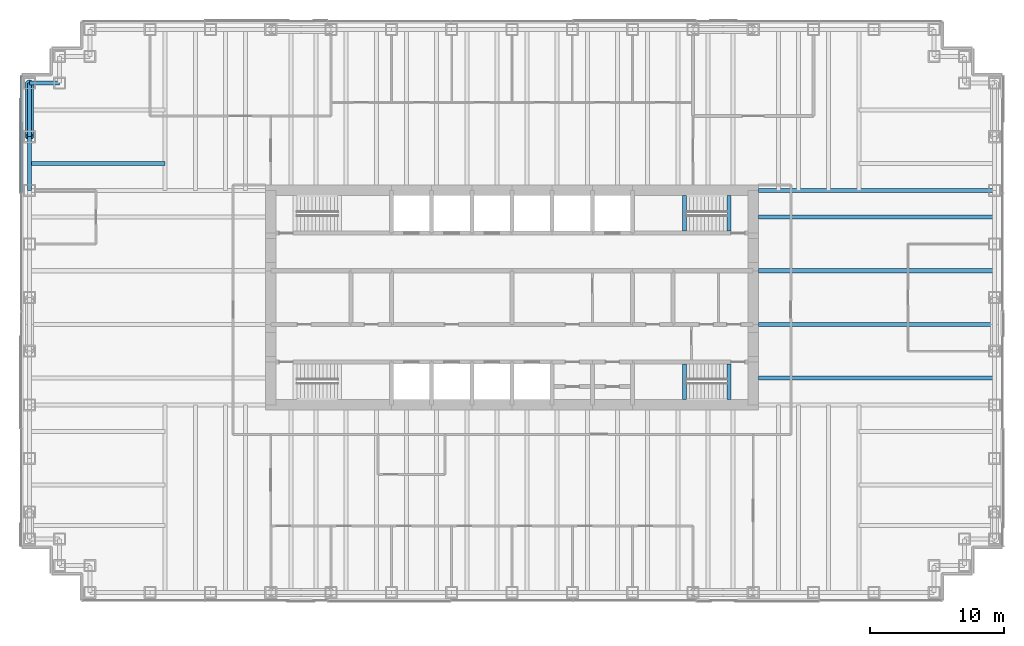
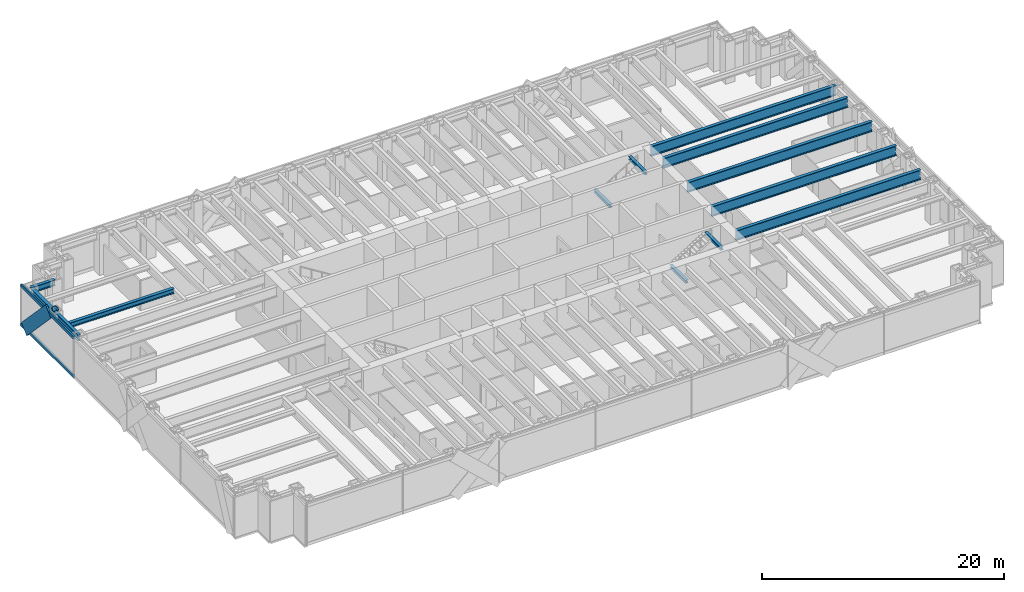
# One storey, part 4 of 14: 13 beams, 4 members, 1 element without a shape of its own.
"""IFC4 building model written with IfcOpenShell, lengths in metres."""

from ifc_helpers import new_model, si_unit, direction, frame, origin, origin_2d, place, context, subcontext, project, spatial, rectangle, hollow_circle, i_section, extrude, material, material_profile, profile_set, type_object, element, aggregate, save


model = new_model("IFC4")

# Units and contexts
model_context = context("Model", 3, precision=1e-05, world=origin(), true_north=direction((0.0, 1.0)))
body_context = subcontext(model_context, "Body", "Model", "MODEL_VIEW")
ifc_project = project(units=[si_unit("LENGTHUNIT", "METRE"), si_unit("AREAUNIT", "SQUARE_METRE"), si_unit("VOLUMEUNIT", "CUBIC_METRE"), si_unit("PLANEANGLEUNIT", "RADIAN"), si_unit("MASSUNIT", "GRAM", prefix="KILO")], contexts=[model_context])

# Site, building, storey
site_placement = place(None, origin())
site = spatial("IfcSite", under=ifc_project, at=site_placement, CompositionType="ELEMENT")
building_placement = place(site_placement, origin())
building = spatial("IfcBuilding", under=site, at=building_placement, Name="Rheinbord Bourse Tower", CompositionType="ELEMENT")
storey_placement = place(building_placement, frame((0.0, 0.0, 198.39990234375)))
storey = spatial("IfcBuildingStorey", under=building, at=storey_placement, Name="L44", CompositionType="ELEMENT", Elevation=198.39990234375)

# Curtain wall, members
ifc_material_1 = material(Name="Dark glass and black aluminium", Category="aluminium")
curtain_wall_type = type_object("IfcCurtainWallType", Name="CW2 DARK GLASS CURTAIN WALL", PredefinedType="USERDEFINED", material=ifc_material_1)
curtain_wall_placement = place(storey_placement, origin())
curtain_wall = element("IfcCurtainWall", 1, at=curtain_wall_placement, inside=storey, type_object=curtain_wall_type, Name="Curtain wall CW2 W L44", ObjectType="UNITISED CURTAIN WALL", PredefinedType="USERDEFINED")
ifc_material_2 = material(Name="Black anodised aluminium", Category="aluminium")
ifc_material_profile_1 = material_profile(ifc_material_2, rectangle(XDim=0.159912109375, YDim=1.2099609375, at=origin_2d()), Name="CW2 DIAGONAL MULLION 1210x160")
ifc_profile_set_1 = profile_set([ifc_material_profile_1], Name="Black anodised aluminium")
member_type_1 = type_object("IfcMemberType", Name="CW2 BLACK DIAGONAL MULLION", PredefinedType="USERDEFINED", material=ifc_profile_set_1)
member_1_placement = place(storey_placement, frame((-0.60009765625, 40.0, 0.0), z_axis=(0.0, -0.689638355374, 0.72415394689), x_axis=(1.0, 0.0, 0.0)))
member_1 = element("IfcMember", 2, at=member_1_placement, type_object=member_type_1, Name="CW2 diagonal mullion a", ObjectType="DIAGONAL MULLION", PredefinedType="USERDEFINED", context=body_context, shape_type="SweptSolid", body=[
    extrude(rectangle(XDim=0.159912109375, YDim=1.2099609375, at=origin_2d()), origin(), (0.0, 0.0, 1.0), 5.800048828125),
])
ifc_material_3 = material(Name="Black anodised aluminium", Category="aluminium")
ifc_material_profile_2 = material_profile(ifc_material_3, rectangle(XDim=0.159912109375, YDim=0.300048828125, at=origin_2d()), Name="CW2 TRANSOM 300x160")
ifc_profile_set_2 = profile_set([ifc_material_profile_2], Name="Black anodised aluminium")
member_type_2 = type_object("IfcMemberType", Name="CW2 BLACK TRANSOM", PredefinedType="USERDEFINED", material=ifc_profile_set_2)
member_2_placement = place(storey_placement, frame((-0.60009765625, 40.530029296875, 0.150146484375), z_axis=(0.0, -1.0, 0.0), x_axis=(1.0, 0.0, 0.0)))
member_2 = element("IfcMember", 3, at=member_2_placement, type_object=member_type_2, Name="CW2 transom 1.1", ObjectType="TRANSOM", PredefinedType="USERDEFINED", context=body_context, shape_type="SweptSolid", body=[
    extrude(rectangle(XDim=0.159912109375, YDim=0.300048828125, at=origin_2d()), origin(), (0.0, 0.0, 1.0), 8.695068359375),
])
member_3_placement = place(storey_placement, frame((-0.60009765625, 40.530029296875, 4.050048828125), z_axis=(0.0, -1.0, 0.0), x_axis=(1.0, 0.0, 0.0)))
member_3 = element("IfcMember", 4, at=member_3_placement, type_object=member_type_2, Name="CW2 transom 1.2", ObjectType="TRANSOM", PredefinedType="USERDEFINED", context=body_context, shape_type="SweptSolid", body=[
    extrude(rectangle(XDim=0.159912109375, YDim=0.300048828125, at=origin_2d()), origin(), (0.0, 0.0, 1.0), 8.695068359375),
])
aggregate(curtain_wall, [member_2, member_3, member_1])

# Beams
ifc_material_4 = material(Name="Steel S460", Category="steel")
ifc_material_profile_3 = material_profile(ifc_material_4, i_section(OverallWidth=0.302001953125, OverallDepth=1.008056640625, WebThickness=0.02099609375, FlangeThickness=0.0400390625, at=origin_2d()), Name="HEM 1000")
ifc_profile_set_3 = profile_set([ifc_material_profile_3], Name="Steel S460")
beam_type_1 = type_object("IfcBeamType", Name="END BEAM HEM 1000", PredefinedType="BEAM", material=ifc_profile_set_3)
for number, where, z_axis, x_axis, name in (
    (5, (54.39990234375, 18.0, 3.5361328125), (1.0, 0.0, 0.0), (0.0, 1.0, 0.0), "End beam east 18 L45"),
    (6, (54.39990234375, 22.0, 3.5361328125), (1.0, 0.0, 0.0), (0.0, 1.0, 0.0), "End beam east 22 L45"),
    (7, (54.39990234375, 26.0, 3.5361328125), (1.0, 0.0, 0.0), (0.0, 1.0, 0.0), "End beam east 26 L45"),
    (8, (54.39990234375, 30.0, 3.5361328125), (1.0, 0.0, 0.0), (0.0, 1.0, 0.0), "End beam east 30 L45"),
):
    element("IfcBeam", number, at=place(storey_placement, frame(where, z_axis=z_axis, x_axis=x_axis)), inside=storey, type_object=beam_type_1, Name=name, PredefinedType="BEAM", context=body_context, shape_type="SweptSolid", body=[
        extrude(i_section(OverallWidth=0.302001953125, OverallDepth=1.008056640625, WebThickness=0.02099609375, FlangeThickness=0.0400390625, at=origin_2d()), origin(), (0.0, 0.0, 1.0), 17.60009765625),
    ])
ifc_material_5 = material(Name="Steel S460", Category="steel")
ifc_material_profile_4 = material_profile(ifc_material_5, i_section(OverallWidth=0.302001953125, OverallDepth=1.008056640625, WebThickness=0.02099609375, FlangeThickness=0.0400390625, at=origin_2d()), Name="HEM 1000")
ifc_profile_set_4 = profile_set([ifc_material_profile_4], Name="Steel S460")
beam_type_2 = type_object("IfcBeamType", Name="GIRDER HEM 1000", PredefinedType="BEAM", material=ifc_profile_set_4)
beam_1_placement = place(storey_placement, frame((54.39990234375, 32.0, 3.5361328125), z_axis=(1.0, 0.0, 0.0), x_axis=(0.0, 1.0, 0.0)))
element("IfcBeam", 9, at=beam_1_placement, inside=storey, type_object=beam_type_2, Name="Girder east 32 L45", PredefinedType="BEAM", context=body_context, shape_type="SweptSolid", body=[
    extrude(i_section(OverallWidth=0.302001953125, OverallDepth=1.008056640625, WebThickness=0.02099609375, FlangeThickness=0.0400390625, at=origin_2d()), origin(), (0.0, 0.0, 1.0), 17.60009765625),
])
ifc_material_6 = material(Name="Steel S460", Category="steel")
ifc_material_profile_5 = material_profile(ifc_material_6, i_section(OverallWidth=0.300048828125, OverallDepth=0.300048828125, WebThickness=0.010986328125, FlangeThickness=0.01904296875, at=origin_2d()), Name="HEB 300")
ifc_profile_set_5 = profile_set([ifc_material_profile_5], Name="Steel S460")
beam_type_3 = type_object("IfcBeamType", Name="LANDING TRIMMER HEB 300", PredefinedType="BEAM", material=ifc_profile_set_5)
for number, where, z_axis, x_axis, name in (
    (10, (48.8701171875, 16.39990234375, 1.75), (0.0, 1.0, 0.0), (-1.0, 0.0, 0.0), "Landing trimmer ST3 L44"),
    (11, (52.199951171875, 16.39990234375, 3.89013671875), (0.0, 1.0, 0.0), (-1.0, 0.0, 0.0), "Well trimmer ST3 under L45"),
    (12, (48.8701171875, 28.949951171875, 1.75), (0.0, 1.0, 0.0), (-1.0, 0.0, 0.0), "Landing trimmer ST4 L44"),
    (13, (52.199951171875, 28.949951171875, 3.89013671875), (0.0, 1.0, 0.0), (-1.0, 0.0, 0.0), "Well trimmer ST4 under L45"),
):
    element("IfcBeam", number, at=place(storey_placement, frame(where, z_axis=z_axis, x_axis=x_axis)), inside=storey, type_object=beam_type_3, Name=name, PredefinedType="BEAM", context=body_context, shape_type="SweptSolid", body=[
        extrude(i_section(OverallWidth=0.300048828125, OverallDepth=0.300048828125, WebThickness=0.010986328125, FlangeThickness=0.01904296875, at=origin_2d()), origin(), (0.0, 0.0, 1.0), 2.650146484375),
    ])

# Member
ifc_material_7 = material(Name="Steel S460", Category="steel")
ifc_material_profile_6 = material_profile(ifc_material_7, hollow_circle(Radius=0.304931640625, WallThickness=0.0400390625, at=origin_2d()), Name="CHS 610x40")
ifc_profile_set_6 = profile_set([ifc_material_profile_6], Name="Steel S460")
member_type_3 = type_object("IfcMemberType", Name="MEGABRACE CHS 610x40", PredefinedType="BRACE", material=ifc_profile_set_6)
member_4_placement = place(storey_placement, frame((0.0, 40.0, 0.0), z_axis=(0.0, -0.689638355374, 0.72415394689), x_axis=(1.0, 0.0, 0.0)))
element("IfcMember", 14, at=member_4_placement, inside=storey, type_object=member_type_3, Name="Megabrace W face line a L44", PredefinedType="BRACE", context=body_context, shape_type="SweptSolid", body=[
    extrude(hollow_circle(Radius=0.304931640625, WallThickness=0.0400390625, at=origin_2d()), origin(), (0.0, 0.0, 1.0), 5.800048828125),
])

# Beams
ifc_material_8 = material(Name="Steel S460", Category="steel")
ifc_material_profile_7 = material_profile(ifc_material_8, i_section(OverallWidth=0.300048828125, OverallDepth=0.60009765625, WebThickness=0.015380859375, FlangeThickness=0.030029296875, at=origin_2d()), Name="HEB 600")
ifc_profile_set_7 = profile_set([ifc_material_profile_7], Name="Steel S460")
beam_type_4 = type_object("IfcBeamType", Name="SPANDREL HEB 600", PredefinedType="SPANDREL", material=ifc_profile_set_7)
beam_2_placement = place(storey_placement, frame((2.25, 40.0, 3.739990234375), z_axis=(-1.0, 0.0, 0.0), x_axis=(0.0, -1.0, 0.0)))
element("IfcBeam", 15, at=beam_2_placement, inside=storey, type_object=beam_type_4, Name="Spandrel NW-B-NW-A under L45", PredefinedType="SPANDREL", context=body_context, shape_type="SweptSolid", body=[
    extrude(i_section(OverallWidth=0.300048828125, OverallDepth=0.60009765625, WebThickness=0.015380859375, FlangeThickness=0.030029296875, at=origin_2d()), origin(), (0.0, 0.0, 1.0), 2.25),
])
for number, where, z_axis, x_axis, name in (
    (16, (0.0, 40.0, 3.739990234375), (0.0, -1.0, 0.0), (1.0, 0.0, 0.0), "Spandrel NW-A-W-36 under L45"),
    (17, (0.0, 36.0, 3.739990234375), (0.0, -1.0, 0.0), (1.0, 0.0, 0.0), "Spandrel W-36-W-32 under L45"),
):
    element("IfcBeam", number, at=place(storey_placement, frame(where, z_axis=z_axis, x_axis=x_axis)), inside=storey, type_object=beam_type_4, Name=name, PredefinedType="SPANDREL", context=body_context, shape_type="SweptSolid", body=[
        extrude(i_section(OverallWidth=0.300048828125, OverallDepth=0.60009765625, WebThickness=0.015380859375, FlangeThickness=0.030029296875, at=origin_2d()), origin(), (0.0, 0.0, 1.0), 4.0),
    ])
ifc_material_9 = material(Name="Steel S460", Category="steel")
ifc_material_profile_8 = material_profile(ifc_material_9, i_section(OverallWidth=0.300048828125, OverallDepth=0.5, WebThickness=0.014404296875, FlangeThickness=0.028076171875, at=origin_2d()), Name="HEB 500")
ifc_profile_set_8 = profile_set([ifc_material_profile_8], Name="Steel S460")
beam_type_5 = type_object("IfcBeamType", Name="TIE BEAM HEB 500", PredefinedType="JOIST", material=ifc_profile_set_8)
beam_3_placement = place(storey_placement, frame((0.0, 34.0, 3.7900390625), z_axis=(1.0, 0.0, 0.0), x_axis=(0.0, 1.0, 0.0)))
element("IfcBeam", 18, at=beam_3_placement, inside=storey, type_object=beam_type_5, Name="Tie west 34 L45", PredefinedType="JOIST", context=body_context, shape_type="SweptSolid", body=[
    extrude(i_section(OverallWidth=0.300048828125, OverallDepth=0.5, WebThickness=0.014404296875, FlangeThickness=0.028076171875, at=origin_2d()), origin(), (0.0, 0.0, 1.0), 10.125),
])

save(model, "model.ifc")
